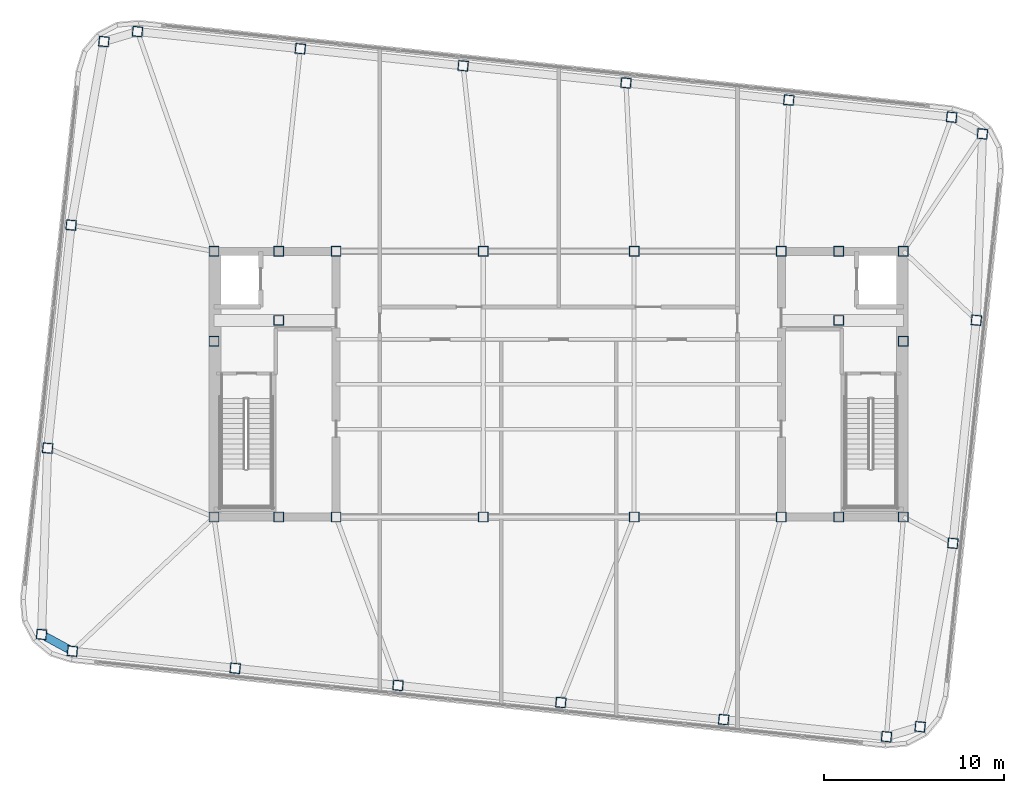
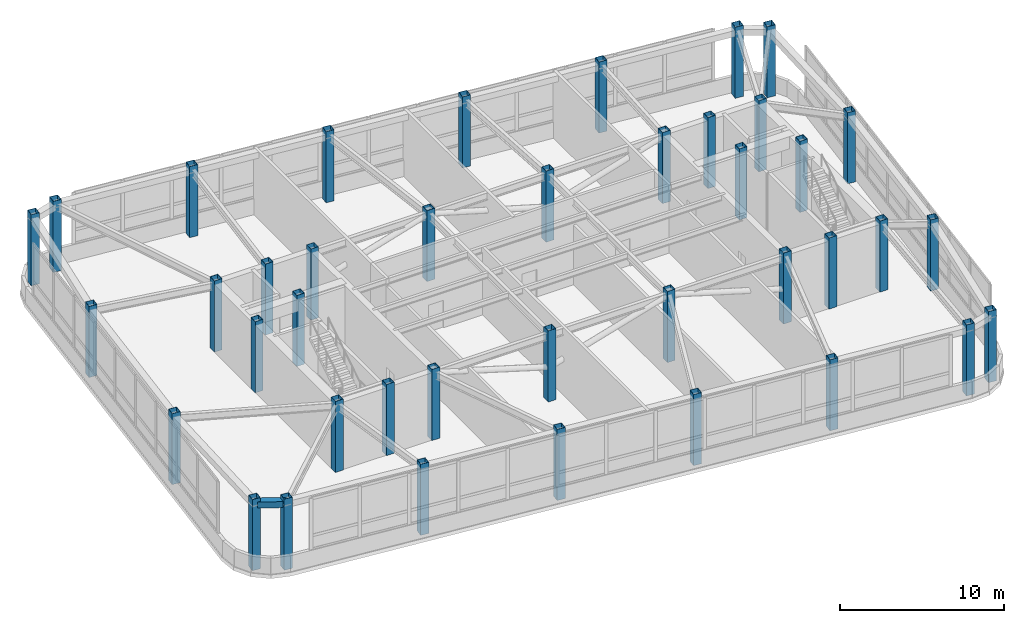
# One storey, part 1 of 23: 40 columns, 1 beam.
"""IFC4 building model written with IfcOpenShell, lengths in metres."""

from ifc_helpers import new_model, si_unit, direction, frame, origin, origin_2d, place, context, subcontext, project, spatial, hollow_rectangle, extrude, material, material_profile, profile_set, type_object, element, save


model = new_model("IFC4")

# Units and contexts
model_context = context("Model", 3, precision=1e-05, world=origin(), true_north=direction((0.0, 1.0)))
body_context = subcontext(model_context, "Body", "Model", "MODEL_VIEW")
ifc_project = project(units=[si_unit("LENGTHUNIT", "METRE"), si_unit("AREAUNIT", "SQUARE_METRE"), si_unit("VOLUMEUNIT", "CUBIC_METRE"), si_unit("PLANEANGLEUNIT", "RADIAN"), si_unit("MASSUNIT", "GRAM", prefix="KILO")], contexts=[model_context])

# Site, building, storey
site_placement = place(None, origin())
site = spatial("IfcSite", under=ifc_project, at=site_placement, CompositionType="ELEMENT")
building_placement = place(site_placement, origin())
building = spatial("IfcBuilding", under=site, at=building_placement, Name="Voryun Gate Residences", CompositionType="ELEMENT")
storey_placement = place(building_placement, frame((0.0, 0.0, 331.89990234375)))
storey = spatial("IfcBuildingStorey", under=building, at=storey_placement, Name="L81", CompositionType="ELEMENT", Elevation=331.89990234375)

# Columns
ifc_material_1 = material(Name="Steel SM355", Category="steel")
ifc_material_profile_1 = material_profile(ifc_material_1, hollow_rectangle(XDim=0.550048828125, YDim=0.550048828125, WallThickness=0.02197265625, at=origin_2d()), Name="BOX-550x550x22")
ifc_profile_set_1 = profile_set([ifc_material_profile_1], Name="Steel SM355")
column_type = type_object("IfcColumnType", Name="COL_CROWN_550", PredefinedType="COLUMN", material=ifc_profile_set_1)
for number, where, z_axis, x_axis, name in (
    (1, (-19.199951171875, -7.39990234375, 0.0), (0.0, 0.0, 1.0), (1.0, 0.0, 0.0), "L81 Core boundary column WC-SW"),
    (2, (-19.199951171875, 2.39990234375, 0.0), (0.0, 0.0, 1.0), (1.0, 0.0, 0.0), "L81 Core boundary column WC-MW"),
    (3, (-19.199951171875, 7.39990234375, 0.0), (0.0, 0.0, 1.0), (1.0, 0.0, 0.0), "L81 Core boundary column WC-NW"),
    (4, (-15.60009765625, -7.39990234375, 0.0), (0.0, 0.0, 1.0), (1.0, 0.0, 0.0), "L81 Core boundary column WC-SM"),
    (5, (-15.60009765625, 7.39990234375, 0.0), (0.0, 0.0, 1.0), (1.0, 0.0, 0.0), "L81 Core boundary column WC-NM"),
    (6, (-12.39990234375, -7.39990234375, 0.0), (0.0, 0.0, 1.0), (1.0, 0.0, 0.0), "L81 Core boundary column WC-SE"),
    (7, (-15.60009765625, 3.550048828125, 0.0), (0.0, 0.0, 1.0), (1.0, 0.0, 0.0), "L81 Core boundary column WC-MM"),
    (8, (-12.39990234375, 7.39990234375, 0.0), (0.0, 0.0, 1.0), (1.0, 0.0, 0.0), "L81 Core boundary column WC-NE"),
    (9, (12.39990234375, -7.39990234375, 0.0), (0.0, 0.0, 1.0), (1.0, 0.0, 0.0), "L81 Core boundary column EC-SW"),
    (10, (15.60009765625, 3.550048828125, 0.0), (0.0, 0.0, 1.0), (1.0, 0.0, 0.0), "L81 Core boundary column EC-MM"),
    (11, (12.39990234375, 7.39990234375, 0.0), (0.0, 0.0, 1.0), (1.0, 0.0, 0.0), "L81 Core boundary column EC-NW"),
    (12, (15.60009765625, -7.39990234375, 0.0), (0.0, 0.0, 1.0), (1.0, 0.0, 0.0), "L81 Core boundary column EC-SM"),
    (13, (15.60009765625, 7.39990234375, 0.0), (0.0, 0.0, 1.0), (1.0, 0.0, 0.0), "L81 Core boundary column EC-NM"),
    (14, (19.199951171875, -7.39990234375, 0.0), (0.0, 0.0, 1.0), (1.0, 0.0, 0.0), "L81 Core boundary column EC-SE"),
    (15, (19.199951171875, 2.39990234375, 0.0), (0.0, 0.0, 1.0), (1.0, 0.0, 0.0), "L81 Core boundary column EC-ME"),
    (16, (19.199951171875, 7.39990234375, 0.0), (0.0, 0.0, 1.0), (1.0, 0.0, 0.0), "L81 Core boundary column EC-NE"),
    (17, (-4.199951171875, -7.39990234375, 0.0), (0.0, 0.0, 1.0), (1.0, 0.0, 0.0), "L81 Interior spine column SP-WS"),
    (18, (-4.199951171875, 7.39990234375, 0.0), (0.0, 0.0, 1.0), (1.0, 0.0, 0.0), "L81 Interior spine column SP-WN"),
    (19, (4.199951171875, -7.39990234375, 0.0), (0.0, 0.0, 1.0), (1.0, 0.0, 0.0), "L81 Interior spine column SP-ES"),
    (20, (4.199951171875, 7.39990234375, 0.0), (0.0, 0.0, 1.0), (1.0, 0.0, 0.0), "L81 Interior spine column SP-EN"),
    (21, (-27.088623046875, -14.871826171875, 0.0), (0.0, 0.0, 1.0), (0.994521895368, -0.104528463268, 0.0), "L81 Crown Frame column S1"),
    (22, (-18.0185546875, -15.824951171875, 0.0), (0.0, 0.0, 1.0), (0.994521895368, -0.104528463268, 0.0), "L81 Crown Frame column S2"),
    (23, (-8.948486328125, -16.7783203125, 0.0), (0.0, 0.0, 1.0), (0.994521895368, -0.104528463268, 0.0), "L81 Crown Frame column S3"),
    (24, (0.121337890625, -17.731689453125, 0.0), (0.0, 0.0, 1.0), (0.994521895368, -0.104528463268, 0.0), "L81 Crown Frame column S4"),
    (25, (9.19140625, -18.684814453125, 0.0), (0.0, 0.0, 1.0), (0.994521895368, -0.104528463268, 0.0), "L81 Crown Frame column S5"),
    (26, (18.261474609375, -19.63818359375, 0.0), (0.0, 0.0, 1.0), (0.994521895368, -0.104528463268, 0.0), "L81 Crown Frame column S6"),
    (27, (20.1328125, -19.083984375, 0.0), (0.0, 0.0, 1.0), (0.994521895368, -0.104528463268, 0.0), "L81 Crown Frame column CSE"),
    (28, (21.958251953125, -8.861572265625, 0.0), (0.0, 0.0, 1.0), (0.994521895368, -0.104528463268, 0.0), "L81 Crown Frame column E1"),
    (29, (23.263916015625, 3.56201171875, 0.0), (0.0, 0.0, 1.0), (0.994521895368, -0.104528463268, 0.0), "L81 Crown Frame column E2"),
    (30, (23.603759765625, 13.9404296875, 0.0), (0.0, 0.0, 1.0), (0.994521895368, -0.104528463268, 0.0), "L81 Crown Frame column CNE"),
    (31, (21.888671875, 14.871826171875, 0.0), (0.0, 0.0, 1.0), (0.994521895368, -0.104528463268, 0.0), "L81 Crown Frame column N1"),
    (32, (12.818603515625, 15.824951171875, 0.0), (0.0, 0.0, 1.0), (0.994521895368, -0.104528463268, 0.0), "L81 Crown Frame column N2"),
    (33, (3.74853515625, 16.7783203125, 0.0), (0.0, 0.0, 1.0), (0.994521895368, -0.104528463268, 0.0), "L81 Crown Frame column N3"),
    (34, (-5.321533203125, 17.731689453125, 0.0), (0.0, 0.0, 1.0), (0.994521895368, -0.104528463268, 0.0), "L81 Crown Frame column N4"),
    (35, (-14.3916015625, 18.684814453125, 0.0), (0.0, 0.0, 1.0), (0.994521895368, -0.104528463268, 0.0), "L81 Crown Frame column N5"),
    (36, (-23.46142578125, 19.63818359375, 0.0), (0.0, 0.0, 1.0), (0.994521895368, -0.104528463268, 0.0), "L81 Crown Frame column N6"),
    (37, (-25.332763671875, 19.083984375, 0.0), (0.0, 0.0, 1.0), (0.994521895368, -0.104528463268, 0.0), "L81 Crown Frame column CNW"),
    (38, (-27.158203125, 8.861572265625, 0.0), (0.0, 0.0, 1.0), (0.994521895368, -0.104528463268, 0.0), "L81 Crown Frame column W1"),
    (39, (-28.464111328125, -3.56201171875, 0.0), (0.0, 0.0, 1.0), (0.994521895368, -0.104528463268, 0.0), "L81 Crown Frame column W2"),
    (40, (-28.8037109375, -13.9404296875, 0.0), (0.0, 0.0, 1.0), (0.994521895368, -0.104528463268, 0.0), "L81 Crown Frame column CSW"),
):
    element("IfcColumn", number, at=place(storey_placement, frame(where, z_axis=z_axis, x_axis=x_axis)), inside=storey, type_object=column_type, Name=name, PredefinedType="COLUMN", context=body_context, shape_type="SweptSolid", body=[
        extrude(hollow_rectangle(XDim=0.550048828125, YDim=0.550048828125, WallThickness=0.02197265625, at=origin_2d()), origin(), (0.0, 0.0, 1.0), 5.300048828125),
    ])

# Beam
ifc_material_2 = material(Name="Steel SM355", Category="steel")
ifc_material_profile_2 = material_profile(ifc_material_2, hollow_rectangle(XDim=0.449951171875, YDim=0.449951171875, WallThickness=0.01806640625, at=origin_2d()), Name="BOX-450x450x18")
ifc_profile_set_2 = profile_set([ifc_material_profile_2], Name="Steel SM355")
beam_type = type_object("IfcBeamType", Name="BM_CROWN_RING", PredefinedType="BEAM", material=ifc_profile_set_2)
beam_placement = place(storey_placement, frame((-28.8037109375, -13.9404296875, 4.800048828125), z_axis=(0.87877849121, -0.477229885262, 0.0), x_axis=(0.477229885262, 0.87877849121, 0.0)))
element("IfcBeam", 41, at=beam_placement, inside=storey, type_object=beam_type, Name="BM-L81-SPAND-20", PredefinedType="BEAM", context=body_context, shape_type="SweptSolid", body=[
    extrude(hollow_rectangle(XDim=0.449951171875, YDim=0.449951171875, WallThickness=0.01806640625, at=origin_2d()), origin(), (0.0, 0.0, 1.0), 1.95166015625),
])

save(model, "model.ifc")
